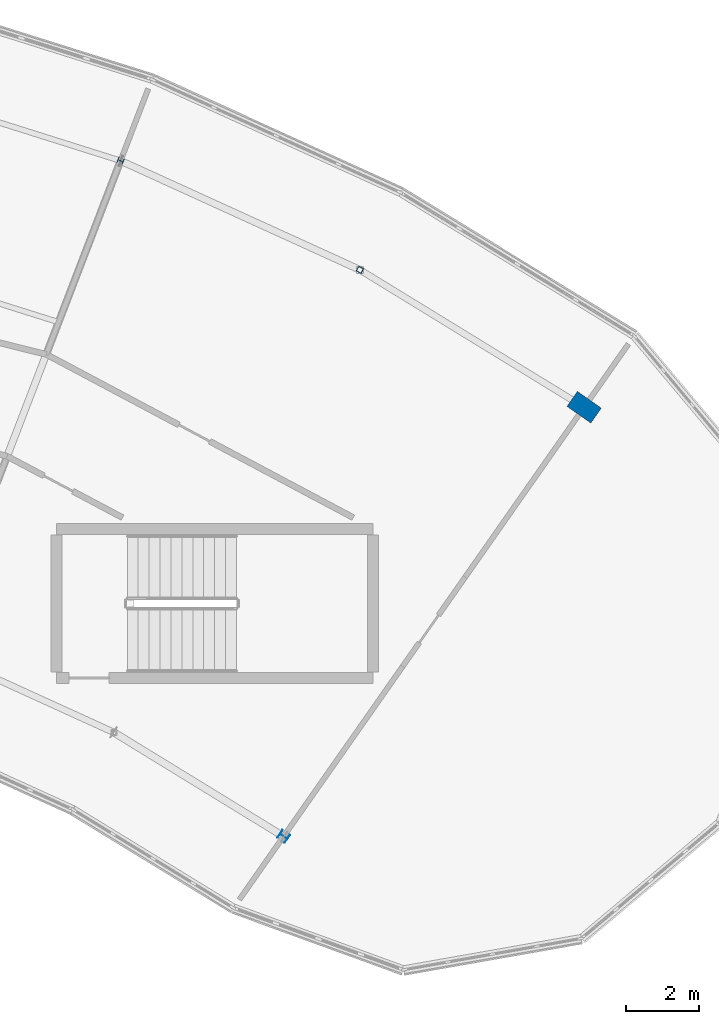
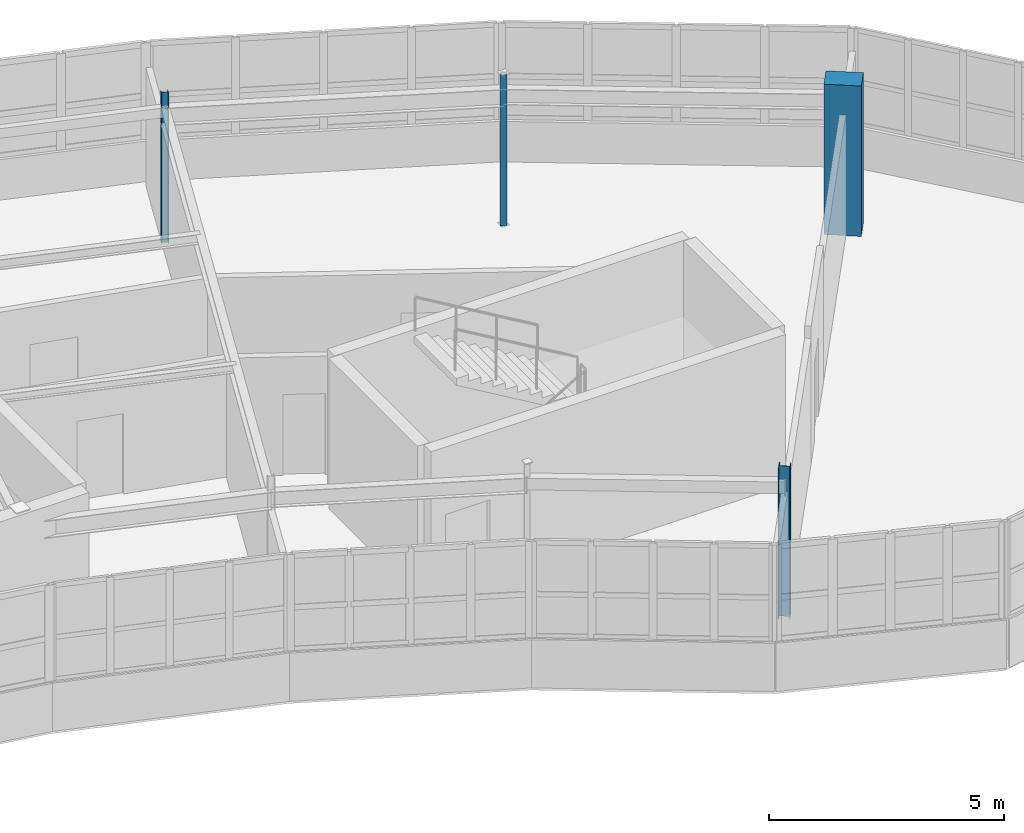
# One storey, part 13 of 60: 4 columns.
"""IFC4 building model written with IfcOpenShell, lengths in metres."""

from ifc_helpers import new_model, si_unit, direction, frame, origin, origin_2d, place, context, subcontext, project, spatial, rectangle, hollow_rectangle, i_section, extrude, material, material_profile, profile_set, type_object, element, save


model = new_model("IFC4")

# Units and contexts
model_context = context("Model", 3, precision=1e-05, world=origin(), true_north=direction((0.0, 1.0)))
body_context = subcontext(model_context, "Body", "Model", "MODEL_VIEW")
ifc_project = project(units=[si_unit("LENGTHUNIT", "METRE"), si_unit("AREAUNIT", "SQUARE_METRE"), si_unit("VOLUMEUNIT", "CUBIC_METRE"), si_unit("PLANEANGLEUNIT", "RADIAN"), si_unit("MASSUNIT", "GRAM", prefix="KILO")], contexts=[model_context])

# Site, building, storey
site_placement = place(None, origin())
site = spatial("IfcSite", under=ifc_project, at=site_placement, CompositionType="ELEMENT")
building_placement = place(site_placement, origin())
building = spatial("IfcBuilding", under=site, at=building_placement, Name="Tarnwether General Hospital", CompositionType="ELEMENT")
storey_placement = place(building_placement, frame((0.0, 0.0, 26.10009765625)))
storey = spatial("IfcBuildingStorey", under=building, at=storey_placement, Name="L06", CompositionType="ELEMENT", Elevation=26.10009765625)

# Columns
ifc_material_1 = material(Name="Concrete 50 MPa", Category="concrete")
ifc_material_profile_1 = material_profile(ifc_material_1, rectangle(XDim=0.5, YDim=0.800048828125, at=origin_2d()), Name="RC-PIL-500x800")
ifc_profile_set_1 = profile_set([ifc_material_profile_1], Name="Concrete 50 MPa")
column_type_1 = type_object("IfcColumnType", Name="COL-23", PredefinedType="PILASTER", material=ifc_profile_set_1)
column_1_placement = place(storey_placement, frame((125.9560546875, 111.493896484375, 0.0), z_axis=(0.0, 0.0, 1.0), x_axis=(0.573576436351, 0.819152044289, 0.0)))
element("IfcColumn", 1, at=column_1_placement, inside=storey, type_object=column_type_1, Name="Column COLG-L06-12596_11149", PredefinedType="PILASTER", context=body_context, shape_type="SweptSolid", body=[
    extrude(rectangle(XDim=0.5, YDim=0.800048828125, at=origin_2d()), origin(), (0.0, 0.0, 1.0), 3.89990234375),
])
ifc_material_2 = material(Name="Steel Grade 350 (350 MPa)", Category="steel")
ifc_material_profile_2 = material_profile(ifc_material_2, i_section(OverallWidth=0.25390625, OverallDepth=0.25390625, WebThickness=0.008544921875, FlangeThickness=0.01416015625, at=origin_2d()), Name="250UC72.9")
ifc_profile_set_2 = profile_set([ifc_material_profile_2], Name="Steel Grade 350 (350 MPa)")
column_type_2 = type_object("IfcColumnType", Name="COL-24", PredefinedType="COLUMN", material=ifc_profile_set_2)
column_2_placement = place(storey_placement, frame((117.696044921875, 99.697998046875, 0.0), z_axis=(0.0, 0.0, 1.0), x_axis=(0.573576436351, 0.819152044289, 0.0)))
element("IfcColumn", 2, at=column_2_placement, inside=storey, type_object=column_type_2, Name="Column COLG-L06-11770_9970", PredefinedType="COLUMN", context=body_context, shape_type="SweptSolid", body=[
    extrude(i_section(OverallWidth=0.25390625, OverallDepth=0.25390625, WebThickness=0.008544921875, FlangeThickness=0.01416015625, at=origin_2d()), origin(), (0.0, 0.0, 1.0), 3.89990234375),
])
ifc_material_3 = material(Name="Steel Grade 350 (350 MPa)", Category="steel")
ifc_material_profile_3 = material_profile(ifc_material_3, i_section(OverallWidth=0.153076171875, OverallDepth=0.157958984375, WebThickness=0.006591796875, FlangeThickness=0.009521484375, at=origin_2d()), Name="150UC30.0")
ifc_profile_set_3 = profile_set([ifc_material_profile_3], Name="Steel Grade 350 (350 MPa)")
column_type_3 = type_object("IfcColumnType", Name="COL-31", PredefinedType="COLUMN", material=ifc_profile_set_3)
column_3_placement = place(storey_placement, frame((113.215087890625, 118.26806640625, 0.0), z_axis=(0.0, 0.0, 1.0), x_axis=(0.358367949545, 0.933580426497, 0.0)))
element("IfcColumn", 3, at=column_3_placement, inside=storey, type_object=column_type_3, Name="Column COLG-L06-11322_11827", PredefinedType="COLUMN", context=body_context, shape_type="SweptSolid", body=[
    extrude(i_section(OverallWidth=0.153076171875, OverallDepth=0.157958984375, WebThickness=0.006591796875, FlangeThickness=0.009521484375, at=origin_2d()), origin(), (0.0, 0.0, 1.0), 3.89990234375),
])
ifc_material_4 = material(Name="Steel Grade C350L0 (350 MPa)", Category="steel")
ifc_material_profile_4 = material_profile(ifc_material_4, hollow_rectangle(XDim=0.14990234375, YDim=0.14990234375, WallThickness=0.008056640625, at=origin_2d()), Name="SHS150x150x8")
ifc_profile_set_4 = profile_set([ifc_material_profile_4], Name="Steel Grade C350L0 (350 MPa)")
column_type_4 = type_object("IfcColumnType", Name="COL-33", PredefinedType="COLUMN", material=ifc_profile_set_4)
column_4_placement = place(storey_placement, frame((119.79296875, 115.27001953125, 0.0), z_axis=(0.0, 0.0, 1.0), x_axis=(0.469471562786, 0.882947592859, 0.0)))
element("IfcColumn", 4, at=column_4_placement, inside=storey, type_object=column_type_4, Name="Column COLG-L06-11979_11527", PredefinedType="COLUMN", context=body_context, shape_type="SweptSolid", body=[
    extrude(hollow_rectangle(XDim=0.14990234375, YDim=0.14990234375, WallThickness=0.008056640625, at=origin_2d()), origin(), (0.0, 0.0, 1.0), 3.89990234375),
])

save(model, "model.ifc")
